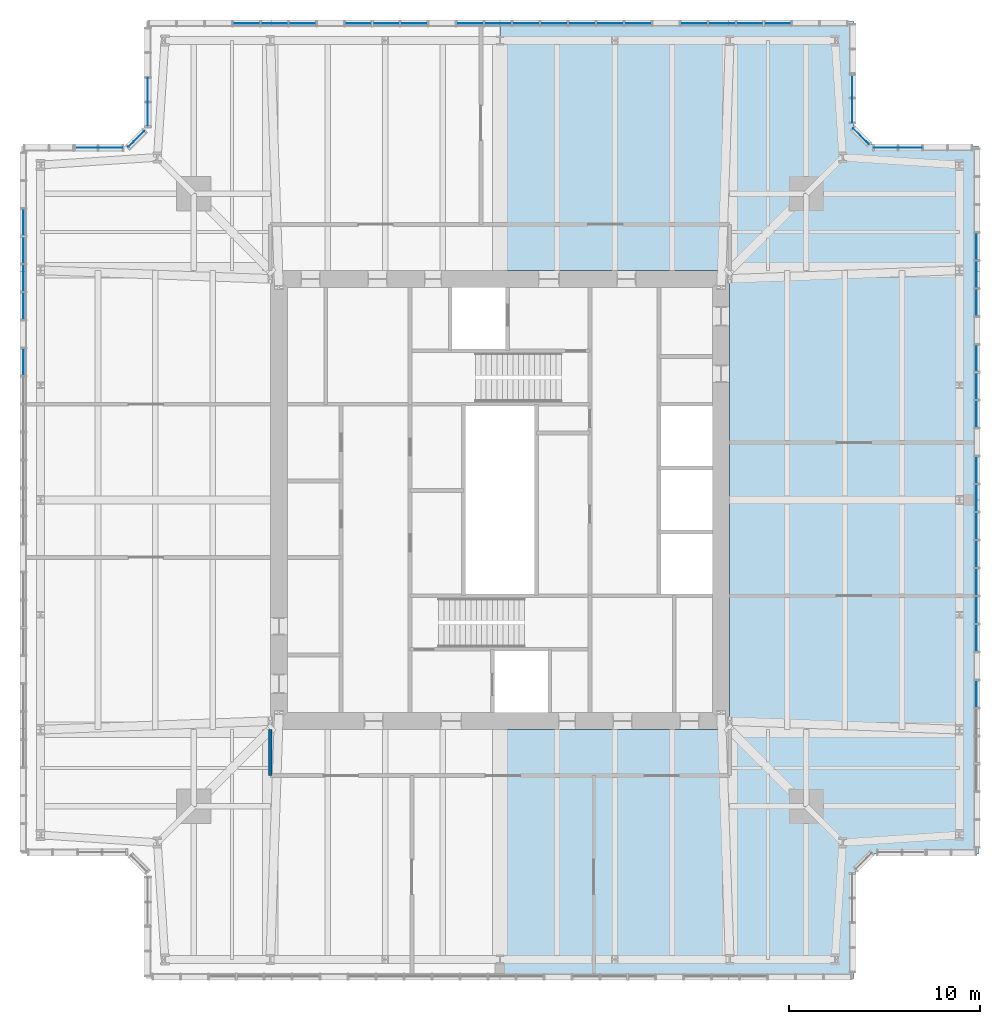
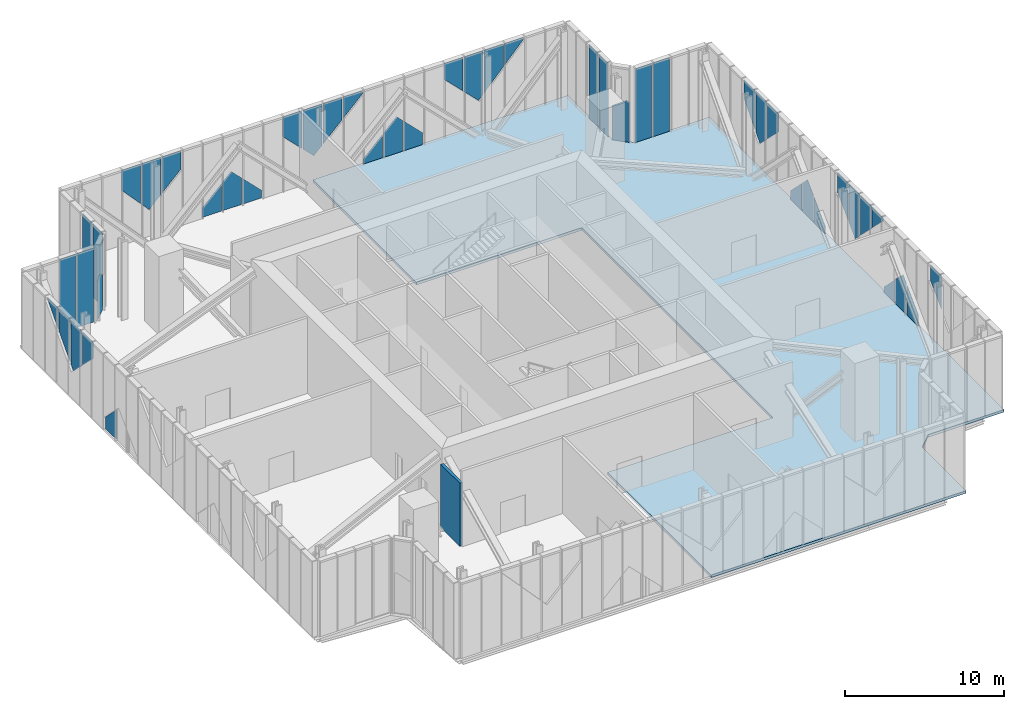
# One storey, part 10 of 18: 46 plates, 1 slab, 1 wall, 9 elements without a shape of their own.
"""IFC4 building model written with IfcOpenShell, lengths in metres."""

from ifc_helpers import new_model, si_unit, direction, frame, frame_2d, origin, origin_2d, place, context, subcontext, project, spatial, polyline, rectangle, outline, extrude, material, layer, layer_set, type_object, element, aggregate, save


model = new_model("IFC4")

# Units and contexts
model_context = context("Model", 3, precision=1e-05, world=origin(), true_north=direction((0.0, 1.0)))
body_context = subcontext(model_context, "Body", "Model", "MODEL_VIEW")
ifc_project = project(units=[si_unit("LENGTHUNIT", "METRE"), si_unit("AREAUNIT", "SQUARE_METRE"), si_unit("VOLUMEUNIT", "CUBIC_METRE"), si_unit("PLANEANGLEUNIT", "RADIAN"), si_unit("MASSUNIT", "GRAM", prefix="KILO")], contexts=[model_context])

# Site, building, storey
site_placement = place(None, origin())
site = spatial("IfcSite", under=ifc_project, at=site_placement, CompositionType="ELEMENT")
building_placement = place(site_placement, origin())
building = spatial("IfcBuilding", under=site, at=building_placement, Name="Fenwick Lantern Interchange", CompositionType="ELEMENT")
storey_placement = place(building_placement, frame((0.0, 0.0, 301.800048828125)))
storey = spatial("IfcBuildingStorey", under=building, at=storey_placement, Name="L73", CompositionType="ELEMENT", Elevation=301.800048828125)

# Slab
ifc_material_1 = material(Name="Concrete f'c 35 MPa", Category="concrete")
ifc_layer_1 = layer(ifc_material_1, 0.199951171875)
ifc_layer_set_1 = layer_set([ifc_layer_1], Name="Concrete f'c 35 MPa")
slab_type = type_object("IfcSlabType", Name="FLOOR SLAB 200", PredefinedType="FLOOR", material=ifc_layer_set_1)
slab_placement = place(storey_placement, frame((0.0, 0.0, -0.199951171875)))
element("IfcSlab", 1, at=slab_placement, inside=storey, type_object=slab_type, Name="L73/SLAB/FE", PredefinedType="FLOOR", context=body_context, shape_type="SweptSolid", body=[
    extrude(outline(polyline([(43.5, 50.0), (43.5, 44.5), (44.5, 43.5), (50.0, 43.5), (50.0, 6.5), (44.5, 6.5), (43.5, 5.5), (43.5, 0.0), (25.0, 0.0), (25.0, 13.0), (37.0, 13.0), (37.0, 37.0), (25.0, 37.0), (25.0, 50.0), (43.5, 50.0)])), origin(), (0.0, 0.0, 1.0), 0.199951171875),
])

# Curtain wall, plates
ifc_material_2 = material(Name="Aluminium curtain wall frame", Category="aluminium")
curtain_wall_type = type_object("IfcCurtainWallType", Name="LANTERN GLAZING", PredefinedType="USERDEFINED", material=ifc_material_2)
curtain_wall_1_placement = place(storey_placement, origin())
curtain_wall_1 = element("IfcCurtainWall", 2, at=curtain_wall_1_placement, inside=storey, type_object=curtain_wall_type, Name="Lantern glazing 05", ObjectType="LANTERN GLAZING", PredefinedType="USERDEFINED")
ifc_material_3 = material(Name="Lantern glass, fritted laminated single glazing", Category="glass")
ifc_layer_2 = layer(ifc_material_3, 0.02197265625)
ifc_layer_set_2 = layer_set([ifc_layer_2], Name="LANTERN GLAZING PANEL 22")
plate_type = type_object("IfcPlateType", Name="LANTERN GLAZING PANEL 22", PredefinedType="CURTAIN_PANEL", material=ifc_layer_set_2)
plate_1_placement = place(storey_placement, frame((49.89990234375, 6.60009765625, 3.07958984375), z_axis=(0.0, 0.0, 1.0), x_axis=(0.0, 1.0, 0.0)))
plate_1 = element("IfcPlate", 3, at=plate_1_placement, type_object=plate_type, Name="L73/CW/05/P05a", PredefinedType="CURTAIN_PANEL", context=body_context, shape_type="SweptSolid", body=[
    extrude(outline(polyline([(7.583984375, 0.0), (8.96484375, 1.380859375), (8.96484375, 2.580322265625), (7.583984375, 2.580322265625), (7.583984375, 0.0)])), frame((0.0, 0.010986328125, 0.0), z_axis=(0.0, -1.0, 0.0), x_axis=(1.0, 0.0, 0.0)), (0.0, 0.0, 1.0), 0.02197265625),
])
plate_2_placement = place(storey_placement, frame((49.89990234375, 6.60009765625, 0.0), z_axis=(0.0, 0.0, 1.0), x_axis=(0.0, 1.0, 0.0)))
plate_2 = element("IfcPlate", 4, at=plate_2_placement, type_object=plate_type, Name="L73/CW/05/P07a", PredefinedType="CURTAIN_PANEL", context=body_context, shape_type="SweptSolid", body=[
    extrude(outline(polyline([(10.505615234375, 0.0), (11.886474609375, 0.0), (11.886474609375, 2.290771484375), (10.505615234375, 0.909912109375), (10.505615234375, 0.0)])), frame((0.0, 0.010986328125, 0.0), z_axis=(0.0, -1.0, 0.0), x_axis=(1.0, 0.0, 0.0)), (0.0, 0.0, 1.0), 0.02197265625),
])
plate_3_placement = place(storey_placement, frame((49.89990234375, 6.60009765625, 0.0), z_axis=(0.0, 0.0, 1.0), x_axis=(0.0, 1.0, 0.0)))
plate_3 = element("IfcPlate", 5, at=plate_3_placement, type_object=plate_type, Name="L73/CW/05/P08a", PredefinedType="CURTAIN_PANEL", context=body_context, shape_type="SweptSolid", body=[
    extrude(outline(polyline([(11.96630859375, 0.0), (13.34716796875, 0.0), (13.34716796875, 1.857177734375), (12.39990234375, 2.804443359375), (11.96630859375, 2.370849609375), (11.96630859375, 0.0)])), frame((0.0, 0.010986328125, 0.0), z_axis=(0.0, -1.0, 0.0), x_axis=(1.0, 0.0, 0.0)), (0.0, 0.0, 1.0), 0.02197265625),
])
plate_4_placement = place(storey_placement, frame((49.89990234375, 6.60009765625, 0.0), z_axis=(0.0, 0.0, 1.0), x_axis=(0.0, 1.0, 0.0)))
plate_4 = element("IfcPlate", 6, at=plate_4_placement, type_object=plate_type, Name="L73/CW/05/P09a", PredefinedType="CURTAIN_PANEL", context=body_context, shape_type="SweptSolid", body=[
    extrude(outline(polyline([(13.42724609375, 0.0), (14.80810546875, 0.0), (14.80810546875, 0.396484375), (13.42724609375, 1.777099609375), (13.42724609375, 0.0)])), frame((0.0, 0.010986328125, 0.0), z_axis=(0.0, -1.0, 0.0), x_axis=(1.0, 0.0, 0.0)), (0.0, 0.0, 1.0), 0.02197265625),
])
plate_5_placement = place(storey_placement, frame((49.89990234375, 6.60009765625, 4.02685546875), z_axis=(0.0, 0.0, 1.0), x_axis=(0.0, 1.0, 0.0)))
plate_5 = element("IfcPlate", 7, at=plate_5_placement, type_object=plate_type, Name="L73/CW/05/P10a", PredefinedType="CURTAIN_PANEL", context=body_context, shape_type="SweptSolid", body=[
    extrude(outline(polyline([(16.268798828125, 0.0), (16.268798828125, 1.633056640625), (14.887939453125, 1.633056640625), (14.887939453125, 1.380615234375), (16.268798828125, 0.0)])), frame((0.0, 0.010986328125, 0.0), z_axis=(0.0, -1.0, 0.0), x_axis=(1.0, 0.0, 0.0)), (0.0, 0.0, 1.0), 0.02197265625),
])
plate_6_placement = place(storey_placement, frame((49.89990234375, 6.60009765625, 2.56591796875), z_axis=(0.0, 0.0, 1.0), x_axis=(0.0, 1.0, 0.0)))
plate_6 = element("IfcPlate", 8, at=plate_6_placement, type_object=plate_type, Name="L73/CW/05/P11a", PredefinedType="CURTAIN_PANEL", context=body_context, shape_type="SweptSolid", body=[
    extrude(outline(polyline([(17.7294921875, 0.0), (17.7294921875, 3.093994140625), (16.348876953125, 3.093994140625), (16.348876953125, 1.380859375), (17.7294921875, 0.0)])), frame((0.0, 0.010986328125, 0.0), z_axis=(0.0, -1.0, 0.0), x_axis=(1.0, 0.0, 0.0)), (0.0, 0.0, 1.0), 0.02197265625),
])
plate_7_placement = place(storey_placement, frame((49.89990234375, 6.60009765625, 1.8955078125), z_axis=(0.0, 0.0, 1.0), x_axis=(0.0, 1.0, 0.0)))
plate_7 = element("IfcPlate", 9, at=plate_7_placement, type_object=plate_type, Name="L73/CW/05/P12a", PredefinedType="CURTAIN_PANEL", context=body_context, shape_type="SweptSolid", body=[
    extrude(outline(polyline([(18.39990234375, 0.0), (19.1904296875, 0.79052734375), (19.1904296875, 3.764404296875), (17.8095703125, 3.764404296875), (17.8095703125, 0.59033203125), (18.39990234375, 0.0)])), frame((0.0, 0.010986328125, 0.0), z_axis=(0.0, -1.0, 0.0), x_axis=(1.0, 0.0, 0.0)), (0.0, 0.0, 1.0), 0.02197265625),
])
plate_8_placement = place(storey_placement, frame((49.89990234375, 6.60009765625, 2.765869140625), z_axis=(0.0, 0.0, 1.0), x_axis=(0.0, 1.0, 0.0)))
plate_8 = element("IfcPlate", 10, at=plate_8_placement, type_object=plate_type, Name="L73/CW/05/P13a", PredefinedType="CURTAIN_PANEL", context=body_context, shape_type="SweptSolid", body=[
    extrude(outline(polyline([(19.2705078125, 0.0), (20.651123046875, 1.380859375), (20.651123046875, 2.89404296875), (19.2705078125, 2.89404296875), (19.2705078125, 0.0)])), frame((0.0, 0.010986328125, 0.0), z_axis=(0.0, -1.0, 0.0), x_axis=(1.0, 0.0, 0.0)), (0.0, 0.0, 1.0), 0.02197265625),
])
plate_9_placement = place(storey_placement, frame((49.89990234375, 6.60009765625, 0.0), z_axis=(0.0, 0.0, 1.0), x_axis=(0.0, 1.0, 0.0)))
plate_9 = element("IfcPlate", 11, at=plate_9_placement, type_object=plate_type, Name="L73/CW/05/P15a", PredefinedType="CURTAIN_PANEL", context=body_context, shape_type="SweptSolid", body=[
    extrude(outline(polyline([(22.19189453125, 0.0), (23.57275390625, 0.0), (23.57275390625, 1.97705078125), (22.19189453125, 0.596435546875), (22.19189453125, 0.0)])), frame((0.0, 0.010986328125, 0.0), z_axis=(0.0, -1.0, 0.0), x_axis=(1.0, 0.0, 0.0)), (0.0, 0.0, 1.0), 0.02197265625),
])
plate_10_placement = place(storey_placement, frame((49.89990234375, 6.60009765625, 0.0), z_axis=(0.0, 0.0, 1.0), x_axis=(0.0, 1.0, 0.0)))
plate_10 = element("IfcPlate", 12, at=plate_10_placement, type_object=plate_type, Name="L73/CW/05/P16a", PredefinedType="CURTAIN_PANEL", context=body_context, shape_type="SweptSolid", body=[
    extrude(outline(polyline([(23.65283203125, 0.0), (25.03369140625, 0.0), (25.03369140625, 2.170654296875), (24.39990234375, 2.804443359375), (23.65283203125, 2.05712890625), (23.65283203125, 0.0)])), frame((0.0, 0.010986328125, 0.0), z_axis=(0.0, -1.0, 0.0), x_axis=(1.0, 0.0, 0.0)), (0.0, 0.0, 1.0), 0.02197265625),
])
plate_11_placement = place(storey_placement, frame((49.89990234375, 6.60009765625, 0.0), z_axis=(0.0, 0.0, 1.0), x_axis=(0.0, 1.0, 0.0)))
plate_11 = element("IfcPlate", 13, at=plate_11_placement, type_object=plate_type, Name="L73/CW/05/P17a", PredefinedType="CURTAIN_PANEL", context=body_context, shape_type="SweptSolid", body=[
    extrude(outline(polyline([(25.113525390625, 0.0), (26.494384765625, 0.0), (26.494384765625, 0.7099609375), (25.113525390625, 2.0908203125), (25.113525390625, 0.0)])), frame((0.0, 0.010986328125, 0.0), z_axis=(0.0, -1.0, 0.0), x_axis=(1.0, 0.0, 0.0)), (0.0, 0.0, 1.0), 0.02197265625),
])
plate_12_placement = place(storey_placement, frame((49.89990234375, 6.60009765625, 2.879638671875), z_axis=(0.0, 0.0, 1.0), x_axis=(0.0, 1.0, 0.0)))
plate_12 = element("IfcPlate", 14, at=plate_12_placement, type_object=plate_type, Name="L73/CW/05/P19a", PredefinedType="CURTAIN_PANEL", context=body_context, shape_type="SweptSolid", body=[
    extrude(outline(polyline([(29.416015625, 0.0), (29.416015625, 2.7802734375), (28.03515625, 2.7802734375), (28.03515625, 1.380615234375), (29.416015625, 0.0)])), frame((0.0, 0.010986328125, 0.0), z_axis=(0.0, -1.0, 0.0), x_axis=(1.0, 0.0, 0.0)), (0.0, 0.0, 1.0), 0.02197265625),
])
plate_13_placement = place(storey_placement, frame((49.89990234375, 6.60009765625, 1.9521484375), z_axis=(0.0, 0.0, 1.0), x_axis=(0.0, 1.0, 0.0)))
plate_13 = element("IfcPlate", 15, at=plate_13_placement, type_object=plate_type, Name="L73/CW/05/P20a", PredefinedType="CURTAIN_PANEL", context=body_context, shape_type="SweptSolid", body=[
    extrude(outline(polyline([(30.343505859375, 0.0), (30.876708984375, 0.581787109375), (30.876708984375, 3.707763671875), (29.49609375, 3.707763671875), (29.49609375, 0.847412109375), (30.343505859375, 0.0)])), frame((0.0, 0.010986328125, 0.0), z_axis=(0.0, -1.0, 0.0), x_axis=(1.0, 0.0, 0.0)), (0.0, 0.0, 1.0), 0.02197265625),
])
plate_14_placement = place(storey_placement, frame((49.89990234375, 6.60009765625, 2.62109375), z_axis=(0.0, 0.0, 1.0), x_axis=(0.0, 1.0, 0.0)))
plate_14 = element("IfcPlate", 16, at=plate_14_placement, type_object=plate_type, Name="L73/CW/05/P21a", PredefinedType="CURTAIN_PANEL", context=body_context, shape_type="SweptSolid", body=[
    extrude(outline(polyline([(30.956787109375, 0.0), (32.337646484375, 1.50634765625), (32.337646484375, 3.038818359375), (30.956787109375, 3.038818359375), (30.956787109375, 0.0)])), frame((0.0, 0.010986328125, 0.0), z_axis=(0.0, -1.0, 0.0), x_axis=(1.0, 0.0, 0.0)), (0.0, 0.0, 1.0), 0.02197265625),
])
aggregate(curtain_wall_1, [plate_1, plate_2, plate_3, plate_4, plate_5, plate_6, plate_7, plate_8, plate_9, plate_10, plate_11, plate_12, plate_13, plate_14])

curtain_wall_2_placement = place(storey_placement, origin())
curtain_wall_2 = element("IfcCurtainWall", 17, at=curtain_wall_2_placement, inside=storey, type_object=curtain_wall_type, Name="Lantern glazing 06", ObjectType="LANTERN GLAZING", PredefinedType="USERDEFINED")
plate_15_placement = place(storey_placement, frame((46.43408203125, 43.39990234375, 0.0), z_axis=(0.0, 0.0, 1.0), x_axis=(-1.0, 0.0, 0.0)))
plate_15 = element("IfcPlate", 18, at=plate_15_placement, type_object=plate_type, Name="L73/CW/06/P02", PredefinedType="CURTAIN_PANEL", context=body_context, shape_type="SweptSolid", body=[
    extrude(rectangle(XDim=1.21044921875, YDim=0.02197265625, at=origin_2d()), origin(), (0.0, 0.0, 1.0), 5.659912109375),
])
plate_16_placement = place(storey_placement, frame((45.143798828125, 43.39990234375, 0.0), z_axis=(0.0, 0.0, 1.0), x_axis=(-1.0, 0.0, 0.0)))
plate_16 = element("IfcPlate", 19, at=plate_16_placement, type_object=plate_type, Name="L73/CW/06/P03", PredefinedType="CURTAIN_PANEL", context=body_context, shape_type="SweptSolid", body=[
    extrude(rectangle(XDim=1.21044921875, YDim=0.02197265625, at=origin_2d()), origin(), (0.0, 0.0, 1.0), 5.659912109375),
])
aggregate(curtain_wall_2, [plate_15, plate_16])

# Curtain wall, plate
curtain_wall_3_placement = place(storey_placement, origin())
curtain_wall_3 = element("IfcCurtainWall", 20, at=curtain_wall_3_placement, inside=storey, type_object=curtain_wall_type, Name="Lantern glazing 07", ObjectType="LANTERN GLAZING", PredefinedType="USERDEFINED")
plate_17_placement = place(storey_placement, frame((44.45849609375, 43.39990234375, 0.0), z_axis=(0.0, 0.0, 1.0), x_axis=(-0.707106781187, 0.707106781187, 0.0)))
plate_17 = element("IfcPlate", 21, at=plate_17_placement, type_object=plate_type, Name="L73/CW/07/P00a", PredefinedType="CURTAIN_PANEL", context=body_context, shape_type="SweptSolid", body=[
    extrude(outline(polyline([(0.280029296875, 0.0), (1.4169921875, 0.0), (1.4169921875, 2.625244140625), (0.46630859375, 3.200439453125), (0.280029296875, 3.0791015625), (0.280029296875, 0.0)])), frame((0.0, 0.010986328125, 0.0), z_axis=(0.0, -1.0, 0.0), x_axis=(1.0, 0.0, 0.0)), (0.0, 0.0, 1.0), 0.02197265625),
])
aggregate(curtain_wall_3, [plate_17])

# Curtain wall, plates
curtain_wall_4_placement = place(storey_placement, origin())
curtain_wall_4 = element("IfcCurtainWall", 22, at=curtain_wall_4_placement, inside=storey, type_object=curtain_wall_type, Name="Lantern glazing 08", ObjectType="LANTERN GLAZING", PredefinedType="USERDEFINED")
plate_18_placement = place(storey_placement, frame((43.39990234375, 45.34375, 0.0), z_axis=(0.0, 0.0, 1.0), x_axis=(0.0, 1.0, 0.0)))
plate_18 = element("IfcPlate", 23, at=plate_18_placement, type_object=plate_type, Name="L73/CW/08/P00", PredefinedType="CURTAIN_PANEL", context=body_context, shape_type="SweptSolid", body=[
    extrude(rectangle(XDim=1.21044921875, YDim=0.02197265625, at=origin_2d()), origin(), (0.0, 0.0, 1.0), 5.659912109375),
])
plate_19_placement = place(storey_placement, frame((43.39990234375, 44.45849609375, 0.0), z_axis=(0.0, 0.0, 1.0), x_axis=(0.0, 1.0, 0.0)))
plate_19 = element("IfcPlate", 24, at=plate_19_placement, type_object=plate_type, Name="L73/CW/08/P01a", PredefinedType="CURTAIN_PANEL", context=body_context, shape_type="SweptSolid", body=[
    extrude(outline(polyline([(1.5703125, 0.0), (2.741455078125, 0.0), (2.741455078125, 5.659912109375), (1.5703125, 5.659912109375), (1.5703125, 0.0)])), frame((0.0, 0.010986328125, 0.0), z_axis=(0.0, -1.0, 0.0), x_axis=(1.0, 0.0, 0.0)), (0.0, 0.0, 1.0), 0.02197265625),
])
aggregate(curtain_wall_4, [plate_18, plate_19])

curtain_wall_5_placement = place(storey_placement, origin())
curtain_wall_5 = element("IfcCurtainWall", 25, at=curtain_wall_5_placement, inside=storey, type_object=curtain_wall_type, Name="Lantern glazing 09", ObjectType="LANTERN GLAZING", PredefinedType="USERDEFINED")
plate_20_placement = place(storey_placement, frame((43.39990234375, 49.89990234375, 3.99658203125), z_axis=(0.0, 0.0, 1.0), x_axis=(-1.0, 0.0, 0.0)))
plate_20 = element("IfcPlate", 26, at=plate_20_placement, type_object=plate_type, Name="L73/CW/09/P02a", PredefinedType="CURTAIN_PANEL", context=body_context, shape_type="SweptSolid", body=[
    extrude(outline(polyline([(4.58251953125, 0.0), (4.58251953125, 1.663330078125), (3.20166015625, 1.663330078125), (3.20166015625, 1.50634765625), (4.58251953125, 0.0)])), frame((0.0, 0.010986328125, 0.0), z_axis=(0.0, -1.0, 0.0), x_axis=(1.0, 0.0, 0.0)), (0.0, 0.0, 1.0), 0.02197265625),
])
plate_21_placement = place(storey_placement, frame((43.39990234375, 49.89990234375, 2.403076171875), z_axis=(0.0, 0.0, 1.0), x_axis=(-1.0, 0.0, 0.0)))
plate_21 = element("IfcPlate", 27, at=plate_21_placement, type_object=plate_type, Name="L73/CW/09/P03a", PredefinedType="CURTAIN_PANEL", context=body_context, shape_type="SweptSolid", body=[
    extrude(outline(polyline([(6.043212890625, 0.0), (6.043212890625, 3.2568359375), (4.662353515625, 3.2568359375), (4.662353515625, 1.50634765625), (6.043212890625, 0.0)])), frame((0.0, 0.010986328125, 0.0), z_axis=(0.0, -1.0, 0.0), x_axis=(1.0, 0.0, 0.0)), (0.0, 0.0, 1.0), 0.02197265625),
])
plate_22_placement = place(storey_placement, frame((43.39990234375, 49.89990234375, 1.9521484375), z_axis=(0.0, 0.0, 1.0), x_axis=(-1.0, 0.0, 0.0)))
plate_22 = element("IfcPlate", 28, at=plate_22_placement, type_object=plate_type, Name="L73/CW/09/P04a", PredefinedType="CURTAIN_PANEL", context=body_context, shape_type="SweptSolid", body=[
    extrude(outline(polyline([(6.45654296875, 0.0), (7.50390625, 1.04736328125), (7.50390625, 3.707763671875), (6.123291015625, 3.707763671875), (6.123291015625, 0.363525390625), (6.45654296875, 0.0)])), frame((0.0, 0.010986328125, 0.0), z_axis=(0.0, -1.0, 0.0), x_axis=(1.0, 0.0, 0.0)), (0.0, 0.0, 1.0), 0.02197265625),
])
plate_23_placement = place(storey_placement, frame((43.39990234375, 49.89990234375, 3.07958984375), z_axis=(0.0, 0.0, 1.0), x_axis=(-1.0, 0.0, 0.0)))
plate_23 = element("IfcPlate", 29, at=plate_23_placement, type_object=plate_type, Name="L73/CW/09/P05a", PredefinedType="CURTAIN_PANEL", context=body_context, shape_type="SweptSolid", body=[
    extrude(outline(polyline([(7.583984375, 0.0), (8.96484375, 1.380859375), (8.96484375, 2.580322265625), (7.583984375, 2.580322265625), (7.583984375, 0.0)])), frame((0.0, 0.010986328125, 0.0), z_axis=(0.0, -1.0, 0.0), x_axis=(1.0, 0.0, 0.0)), (0.0, 0.0, 1.0), 0.02197265625),
])
plate_24_placement = place(storey_placement, frame((43.39990234375, 49.89990234375, 0.0), z_axis=(0.0, 0.0, 1.0), x_axis=(-1.0, 0.0, 0.0)))
plate_24 = element("IfcPlate", 30, at=plate_24_placement, type_object=plate_type, Name="L73/CW/09/P07a", PredefinedType="CURTAIN_PANEL", context=body_context, shape_type="SweptSolid", body=[
    extrude(outline(polyline([(10.505615234375, 0.0), (11.886474609375, 0.0), (11.886474609375, 2.290771484375), (10.505615234375, 0.909912109375), (10.505615234375, 0.0)])), frame((0.0, 0.010986328125, 0.0), z_axis=(0.0, -1.0, 0.0), x_axis=(1.0, 0.0, 0.0)), (0.0, 0.0, 1.0), 0.02197265625),
])
plate_25_placement = place(storey_placement, frame((43.39990234375, 49.89990234375, 0.0), z_axis=(0.0, 0.0, 1.0), x_axis=(-1.0, 0.0, 0.0)))
plate_25 = element("IfcPlate", 31, at=plate_25_placement, type_object=plate_type, Name="L73/CW/09/P08a", PredefinedType="CURTAIN_PANEL", context=body_context, shape_type="SweptSolid", body=[
    extrude(outline(polyline([(11.96630859375, 0.0), (13.34716796875, 0.0), (13.34716796875, 1.857177734375), (12.39990234375, 2.804443359375), (11.96630859375, 2.370849609375), (11.96630859375, 0.0)])), frame((0.0, 0.010986328125, 0.0), z_axis=(0.0, -1.0, 0.0), x_axis=(1.0, 0.0, 0.0)), (0.0, 0.0, 1.0), 0.02197265625),
])
plate_26_placement = place(storey_placement, frame((43.39990234375, 49.89990234375, 0.0), z_axis=(0.0, 0.0, 1.0), x_axis=(-1.0, 0.0, 0.0)))
plate_26 = element("IfcPlate", 32, at=plate_26_placement, type_object=plate_type, Name="L73/CW/09/P09a", PredefinedType="CURTAIN_PANEL", context=body_context, shape_type="SweptSolid", body=[
    extrude(outline(polyline([(13.42724609375, 0.0), (14.80810546875, 0.0), (14.80810546875, 0.396484375), (13.42724609375, 1.777099609375), (13.42724609375, 0.0)])), frame((0.0, 0.010986328125, 0.0), z_axis=(0.0, -1.0, 0.0), x_axis=(1.0, 0.0, 0.0)), (0.0, 0.0, 1.0), 0.02197265625),
])
plate_27_placement = place(storey_placement, frame((43.39990234375, 49.89990234375, 4.02685546875), z_axis=(0.0, 0.0, 1.0), x_axis=(-1.0, 0.0, 0.0)))
plate_27 = element("IfcPlate", 33, at=plate_27_placement, type_object=plate_type, Name="L73/CW/09/P10a", PredefinedType="CURTAIN_PANEL", context=body_context, shape_type="SweptSolid", body=[
    extrude(outline(polyline([(16.268798828125, 0.0), (16.268798828125, 1.633056640625), (14.887939453125, 1.633056640625), (14.887939453125, 1.380615234375), (16.268798828125, 0.0)])), frame((0.0, 0.010986328125, 0.0), z_axis=(0.0, -1.0, 0.0), x_axis=(1.0, 0.0, 0.0)), (0.0, 0.0, 1.0), 0.02197265625),
])
plate_28_placement = place(storey_placement, frame((43.39990234375, 49.89990234375, 2.56591796875), z_axis=(0.0, 0.0, 1.0), x_axis=(-1.0, 0.0, 0.0)))
plate_28 = element("IfcPlate", 34, at=plate_28_placement, type_object=plate_type, Name="L73/CW/09/P11a", PredefinedType="CURTAIN_PANEL", context=body_context, shape_type="SweptSolid", body=[
    extrude(outline(polyline([(17.7294921875, 0.0), (17.7294921875, 3.093994140625), (16.348876953125, 3.093994140625), (16.348876953125, 1.380859375), (17.7294921875, 0.0)])), frame((0.0, 0.010986328125, 0.0), z_axis=(0.0, -1.0, 0.0), x_axis=(1.0, 0.0, 0.0)), (0.0, 0.0, 1.0), 0.02197265625),
])
plate_29_placement = place(storey_placement, frame((43.39990234375, 49.89990234375, 1.8955078125), z_axis=(0.0, 0.0, 1.0), x_axis=(-1.0, 0.0, 0.0)))
plate_29 = element("IfcPlate", 35, at=plate_29_placement, type_object=plate_type, Name="L73/CW/09/P12a", PredefinedType="CURTAIN_PANEL", context=body_context, shape_type="SweptSolid", body=[
    extrude(outline(polyline([(18.39990234375, 0.0), (19.1904296875, 0.79052734375), (19.1904296875, 3.764404296875), (17.8095703125, 3.764404296875), (17.8095703125, 0.59033203125), (18.39990234375, 0.0)])), frame((0.0, 0.010986328125, 0.0), z_axis=(0.0, -1.0, 0.0), x_axis=(1.0, 0.0, 0.0)), (0.0, 0.0, 1.0), 0.02197265625),
])
plate_30_placement = place(storey_placement, frame((43.39990234375, 49.89990234375, 2.765869140625), z_axis=(0.0, 0.0, 1.0), x_axis=(-1.0, 0.0, 0.0)))
plate_30 = element("IfcPlate", 36, at=plate_30_placement, type_object=plate_type, Name="L73/CW/09/P13a", PredefinedType="CURTAIN_PANEL", context=body_context, shape_type="SweptSolid", body=[
    extrude(outline(polyline([(19.2705078125, 0.0), (20.651123046875, 1.380859375), (20.651123046875, 2.89404296875), (19.2705078125, 2.89404296875), (19.2705078125, 0.0)])), frame((0.0, 0.010986328125, 0.0), z_axis=(0.0, -1.0, 0.0), x_axis=(1.0, 0.0, 0.0)), (0.0, 0.0, 1.0), 0.02197265625),
])
plate_31_placement = place(storey_placement, frame((43.39990234375, 49.89990234375, 0.0), z_axis=(0.0, 0.0, 1.0), x_axis=(-1.0, 0.0, 0.0)))
plate_31 = element("IfcPlate", 37, at=plate_31_placement, type_object=plate_type, Name="L73/CW/09/P15a", PredefinedType="CURTAIN_PANEL", context=body_context, shape_type="SweptSolid", body=[
    extrude(outline(polyline([(22.19189453125, 0.0), (23.57275390625, 0.0), (23.57275390625, 1.97705078125), (22.19189453125, 0.596435546875), (22.19189453125, 0.0)])), frame((0.0, 0.010986328125, 0.0), z_axis=(0.0, -1.0, 0.0), x_axis=(1.0, 0.0, 0.0)), (0.0, 0.0, 1.0), 0.02197265625),
])
plate_32_placement = place(storey_placement, frame((43.39990234375, 49.89990234375, 0.0), z_axis=(0.0, 0.0, 1.0), x_axis=(-1.0, 0.0, 0.0)))
plate_32 = element("IfcPlate", 38, at=plate_32_placement, type_object=plate_type, Name="L73/CW/09/P16a", PredefinedType="CURTAIN_PANEL", context=body_context, shape_type="SweptSolid", body=[
    extrude(outline(polyline([(23.65283203125, 0.0), (25.03369140625, 0.0), (25.03369140625, 2.170654296875), (24.39990234375, 2.804443359375), (23.65283203125, 2.05712890625), (23.65283203125, 0.0)])), frame((0.0, 0.010986328125, 0.0), z_axis=(0.0, -1.0, 0.0), x_axis=(1.0, 0.0, 0.0)), (0.0, 0.0, 1.0), 0.02197265625),
])
plate_33_placement = place(storey_placement, frame((43.39990234375, 49.89990234375, 0.0), z_axis=(0.0, 0.0, 1.0), x_axis=(-1.0, 0.0, 0.0)))
plate_33 = element("IfcPlate", 39, at=plate_33_placement, type_object=plate_type, Name="L73/CW/09/P17a", PredefinedType="CURTAIN_PANEL", context=body_context, shape_type="SweptSolid", body=[
    extrude(outline(polyline([(25.113525390625, 0.0), (26.494384765625, 0.0), (26.494384765625, 0.7099609375), (25.113525390625, 2.0908203125), (25.113525390625, 0.0)])), frame((0.0, 0.010986328125, 0.0), z_axis=(0.0, -1.0, 0.0), x_axis=(1.0, 0.0, 0.0)), (0.0, 0.0, 1.0), 0.02197265625),
])
plate_34_placement = place(storey_placement, frame((43.39990234375, 49.89990234375, 2.879638671875), z_axis=(0.0, 0.0, 1.0), x_axis=(-1.0, 0.0, 0.0)))
plate_34 = element("IfcPlate", 40, at=plate_34_placement, type_object=plate_type, Name="L73/CW/09/P19a", PredefinedType="CURTAIN_PANEL", context=body_context, shape_type="SweptSolid", body=[
    extrude(outline(polyline([(29.416015625, 0.0), (29.416015625, 2.7802734375), (28.03515625, 2.7802734375), (28.03515625, 1.380615234375), (29.416015625, 0.0)])), frame((0.0, 0.010986328125, 0.0), z_axis=(0.0, -1.0, 0.0), x_axis=(1.0, 0.0, 0.0)), (0.0, 0.0, 1.0), 0.02197265625),
])
plate_35_placement = place(storey_placement, frame((43.39990234375, 49.89990234375, 1.9521484375), z_axis=(0.0, 0.0, 1.0), x_axis=(-1.0, 0.0, 0.0)))
plate_35 = element("IfcPlate", 41, at=plate_35_placement, type_object=plate_type, Name="L73/CW/09/P20a", PredefinedType="CURTAIN_PANEL", context=body_context, shape_type="SweptSolid", body=[
    extrude(outline(polyline([(30.343505859375, 0.0), (30.876708984375, 0.581787109375), (30.876708984375, 3.707763671875), (29.49609375, 3.707763671875), (29.49609375, 0.847412109375), (30.343505859375, 0.0)])), frame((0.0, 0.010986328125, 0.0), z_axis=(0.0, -1.0, 0.0), x_axis=(1.0, 0.0, 0.0)), (0.0, 0.0, 1.0), 0.02197265625),
])
plate_36_placement = place(storey_placement, frame((43.39990234375, 49.89990234375, 2.62109375), z_axis=(0.0, 0.0, 1.0), x_axis=(-1.0, 0.0, 0.0)))
plate_36 = element("IfcPlate", 42, at=plate_36_placement, type_object=plate_type, Name="L73/CW/09/P21a", PredefinedType="CURTAIN_PANEL", context=body_context, shape_type="SweptSolid", body=[
    extrude(outline(polyline([(30.956787109375, 0.0), (32.337646484375, 1.50634765625), (32.337646484375, 3.038818359375), (30.956787109375, 3.038818359375), (30.956787109375, 0.0)])), frame((0.0, 0.010986328125, 0.0), z_axis=(0.0, -1.0, 0.0), x_axis=(1.0, 0.0, 0.0)), (0.0, 0.0, 1.0), 0.02197265625),
])
aggregate(curtain_wall_5, [plate_20, plate_21, plate_22, plate_23, plate_24, plate_25, plate_26, plate_27, plate_28, plate_29, plate_30, plate_31, plate_32, plate_33, plate_34, plate_35, plate_36])

curtain_wall_6_placement = place(storey_placement, origin())
curtain_wall_6 = element("IfcCurtainWall", 43, at=curtain_wall_6_placement, inside=storey, type_object=curtain_wall_type, Name="Lantern glazing 10", ObjectType="LANTERN GLAZING", PredefinedType="USERDEFINED")
plate_37_placement = place(storey_placement, frame((6.60009765625, 46.43408203125, 0.0), z_axis=(0.0, 0.0, 1.0), x_axis=(0.0, -1.0, 0.0)))
plate_37 = element("IfcPlate", 44, at=plate_37_placement, type_object=plate_type, Name="L73/CW/10/P02", PredefinedType="CURTAIN_PANEL", context=body_context, shape_type="SweptSolid", body=[
    extrude(rectangle(XDim=1.21044921875, YDim=0.02197265625, at=origin_2d()), origin(), (0.0, 0.0, 1.0), 5.659912109375),
])
plate_38_placement = place(storey_placement, frame((6.60009765625, 45.143798828125, 0.0), z_axis=(0.0, 0.0, 1.0), x_axis=(0.0, -1.0, 0.0)))
plate_38 = element("IfcPlate", 45, at=plate_38_placement, type_object=plate_type, Name="L73/CW/10/P03", PredefinedType="CURTAIN_PANEL", context=body_context, shape_type="SweptSolid", body=[
    extrude(rectangle(XDim=1.21044921875, YDim=0.02197265625, at=origin_2d()), origin(), (0.0, 0.0, 1.0), 5.659912109375),
])
aggregate(curtain_wall_6, [plate_37, plate_38])

# Curtain wall, plate
curtain_wall_7_placement = place(storey_placement, origin())
curtain_wall_7 = element("IfcCurtainWall", 46, at=curtain_wall_7_placement, inside=storey, type_object=curtain_wall_type, Name="Lantern glazing 11", ObjectType="LANTERN GLAZING", PredefinedType="USERDEFINED")
plate_39_placement = place(storey_placement, frame((6.60009765625, 44.45849609375, 0.0), z_axis=(0.0, 0.0, 1.0), x_axis=(-0.707106781187, -0.707106781187, 0.0)))
plate_39 = element("IfcPlate", 47, at=plate_39_placement, type_object=plate_type, Name="L73/CW/11/P00a", PredefinedType="CURTAIN_PANEL", context=body_context, shape_type="SweptSolid", body=[
    extrude(outline(polyline([(0.280029296875, 0.0), (1.4169921875, 0.0), (1.4169921875, 2.948486328125), (1.03076171875, 3.200439453125), (0.280029296875, 2.74609375), (0.280029296875, 0.0)])), frame((0.0, 0.010986328125, 0.0), z_axis=(0.0, -1.0, 0.0), x_axis=(1.0, 0.0, 0.0)), (0.0, 0.0, 1.0), 0.02197265625),
])
aggregate(curtain_wall_7, [plate_39])

# Curtain wall, plates
curtain_wall_8_placement = place(storey_placement, origin())
curtain_wall_8 = element("IfcCurtainWall", 48, at=curtain_wall_8_placement, inside=storey, type_object=curtain_wall_type, Name="Lantern glazing 12", ObjectType="LANTERN GLAZING", PredefinedType="USERDEFINED")
plate_40_placement = place(storey_placement, frame((4.65625, 43.39990234375, 0.0), z_axis=(0.0, 0.0, 1.0), x_axis=(-1.0, 0.0, 0.0)))
plate_40 = element("IfcPlate", 49, at=plate_40_placement, type_object=plate_type, Name="L73/CW/12/P00", PredefinedType="CURTAIN_PANEL", context=body_context, shape_type="SweptSolid", body=[
    extrude(rectangle(XDim=1.21044921875, YDim=0.02197265625, at=origin_2d()), origin(), (0.0, 0.0, 1.0), 5.659912109375),
])
plate_41_placement = place(storey_placement, frame((5.54150390625, 43.39990234375, 0.0), z_axis=(0.0, 0.0, 1.0), x_axis=(-1.0, 0.0, 0.0)))
plate_41 = element("IfcPlate", 50, at=plate_41_placement, type_object=plate_type, Name="L73/CW/12/P01a", PredefinedType="CURTAIN_PANEL", context=body_context, shape_type="SweptSolid", body=[
    extrude(outline(polyline([(1.5703125, 0.0), (2.741455078125, 0.0), (2.741455078125, 5.659912109375), (1.5703125, 5.659912109375), (1.5703125, 0.0)])), frame((0.0, 0.010986328125, 0.0), z_axis=(0.0, -1.0, 0.0), x_axis=(1.0, 0.0, 0.0)), (0.0, 0.0, 1.0), 0.02197265625),
])
aggregate(curtain_wall_8, [plate_40, plate_41])

curtain_wall_9_placement = place(storey_placement, origin())
curtain_wall_9 = element("IfcCurtainWall", 51, at=curtain_wall_9_placement, inside=storey, type_object=curtain_wall_type, Name="Lantern glazing 13", ObjectType="LANTERN GLAZING", PredefinedType="USERDEFINED")
plate_42_placement = place(storey_placement, frame((0.10009765625, 43.39990234375, 3.99658203125), z_axis=(0.0, 0.0, 1.0), x_axis=(0.0, -1.0, 0.0)))
plate_42 = element("IfcPlate", 52, at=plate_42_placement, type_object=plate_type, Name="L73/CW/13/P02a", PredefinedType="CURTAIN_PANEL", context=body_context, shape_type="SweptSolid", body=[
    extrude(outline(polyline([(4.58251953125, 0.0), (4.58251953125, 1.663330078125), (3.20166015625, 1.663330078125), (3.20166015625, 1.50634765625), (4.58251953125, 0.0)])), frame((0.0, 0.010986328125, 0.0), z_axis=(0.0, -1.0, 0.0), x_axis=(1.0, 0.0, 0.0)), (0.0, 0.0, 1.0), 0.02197265625),
])
plate_43_placement = place(storey_placement, frame((0.10009765625, 43.39990234375, 2.403076171875), z_axis=(0.0, 0.0, 1.0), x_axis=(0.0, -1.0, 0.0)))
plate_43 = element("IfcPlate", 53, at=plate_43_placement, type_object=plate_type, Name="L73/CW/13/P03a", PredefinedType="CURTAIN_PANEL", context=body_context, shape_type="SweptSolid", body=[
    extrude(outline(polyline([(6.043212890625, 0.0), (6.043212890625, 3.2568359375), (4.662353515625, 3.2568359375), (4.662353515625, 1.50634765625), (6.043212890625, 0.0)])), frame((0.0, 0.010986328125, 0.0), z_axis=(0.0, -1.0, 0.0), x_axis=(1.0, 0.0, 0.0)), (0.0, 0.0, 1.0), 0.02197265625),
])
plate_44_placement = place(storey_placement, frame((0.10009765625, 43.39990234375, 1.9521484375), z_axis=(0.0, 0.0, 1.0), x_axis=(0.0, -1.0, 0.0)))
plate_44 = element("IfcPlate", 54, at=plate_44_placement, type_object=plate_type, Name="L73/CW/13/P04a", PredefinedType="CURTAIN_PANEL", context=body_context, shape_type="SweptSolid", body=[
    extrude(outline(polyline([(6.45654296875, 0.0), (7.50390625, 1.04736328125), (7.50390625, 3.707763671875), (6.123291015625, 3.707763671875), (6.123291015625, 0.363525390625), (6.45654296875, 0.0)])), frame((0.0, 0.010986328125, 0.0), z_axis=(0.0, -1.0, 0.0), x_axis=(1.0, 0.0, 0.0)), (0.0, 0.0, 1.0), 0.02197265625),
])
plate_45_placement = place(storey_placement, frame((0.10009765625, 43.39990234375, 3.07958984375), z_axis=(0.0, 0.0, 1.0), x_axis=(0.0, -1.0, 0.0)))
plate_45 = element("IfcPlate", 55, at=plate_45_placement, type_object=plate_type, Name="L73/CW/13/P05a", PredefinedType="CURTAIN_PANEL", context=body_context, shape_type="SweptSolid", body=[
    extrude(outline(polyline([(7.583984375, 0.0), (8.96484375, 1.380859375), (8.96484375, 2.580322265625), (7.583984375, 2.580322265625), (7.583984375, 0.0)])), frame((0.0, 0.010986328125, 0.0), z_axis=(0.0, -1.0, 0.0), x_axis=(1.0, 0.0, 0.0)), (0.0, 0.0, 1.0), 0.02197265625),
])
plate_46_placement = place(storey_placement, frame((0.10009765625, 43.39990234375, 0.0), z_axis=(0.0, 0.0, 1.0), x_axis=(0.0, -1.0, 0.0)))
plate_46 = element("IfcPlate", 56, at=plate_46_placement, type_object=plate_type, Name="L73/CW/13/P07a", PredefinedType="CURTAIN_PANEL", context=body_context, shape_type="SweptSolid", body=[
    extrude(outline(polyline([(10.505615234375, 0.0), (11.886474609375, 0.0), (11.886474609375, 2.290771484375), (10.505615234375, 0.909912109375), (10.505615234375, 0.0)])), frame((0.0, 0.010986328125, 0.0), z_axis=(0.0, -1.0, 0.0), x_axis=(1.0, 0.0, 0.0)), (0.0, 0.0, 1.0), 0.02197265625),
])
aggregate(curtain_wall_9, [plate_42, plate_43, plate_44, plate_45, plate_46])

# Wall
ifc_material_4 = material(Name="Concrete masonry ASTM C90 Grade N", Category="masonry")
ifc_layer_3 = layer(ifc_material_4, 0.199951171875)
ifc_layer_set_3 = layer_set([ifc_layer_3], Name="Concrete masonry ASTM C90 Grade N")
wall_type = type_object("IfcWallType", Name="PLANT ROOM WALL 200", PredefinedType="PARTITIONING", material=ifc_layer_set_3)
wall_placement = place(storey_placement, frame((13.0, 10.60009765625, 0.0), z_axis=(0.0, 0.0, 1.0), x_axis=(0.0, 1.0, 0.0)))
element("IfcWall", 57, at=wall_placement, inside=storey, type_object=wall_type, Name="L73/W/FLOOR/PCS-A", PredefinedType="PARTITIONING", context=body_context, shape_type="SweptSolid", body=[
    extrude(rectangle(XDim=2.39990234375, YDim=0.199951171875, at=frame_2d((1.199951171875, 0.0))), origin(), (0.0, 0.0, 1.0), 4.8525390625),
])

save(model, "model.ifc")
